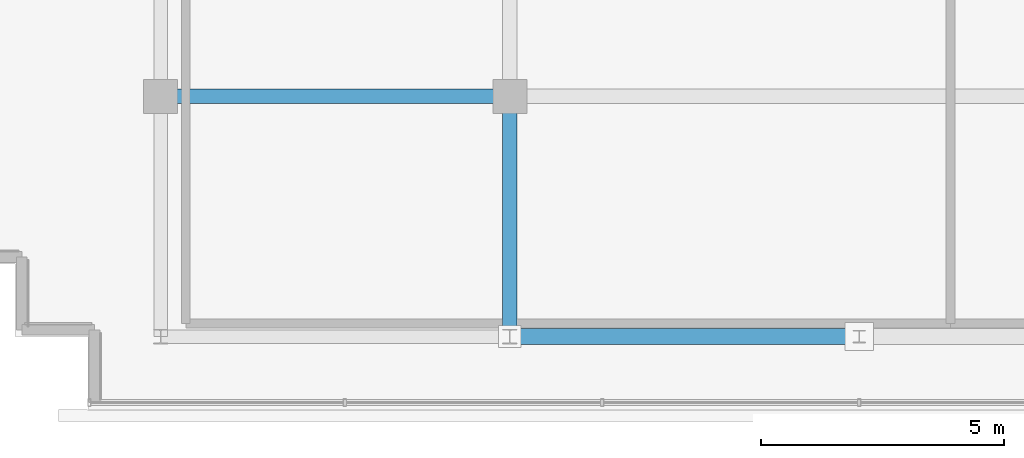
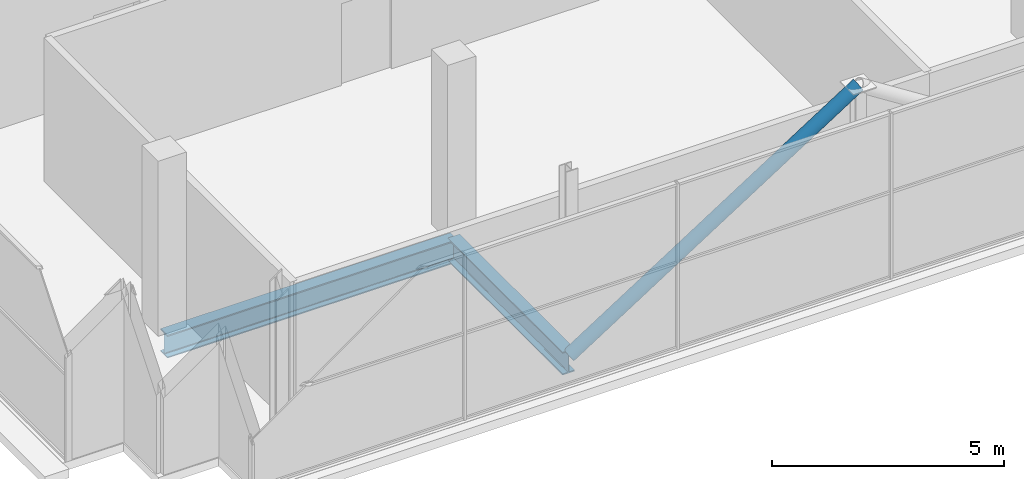
# One storey, part 4 of 26: 2 beams, 1 member.
"""IFC4 building model written with IfcOpenShell, lengths in metres."""

from ifc_helpers import new_model, si_unit, direction, frame, origin, origin_2d, place, context, subcontext, project, spatial, hollow_circle, i_section, extrude, source, transform, mapped, material, material_profile, profile_set, type_object, element, save


model = new_model("IFC4")

# Units and contexts
model_context = context("Model", 3, precision=1e-05, world=origin(), true_north=direction((0.0, 1.0)))
body_context = subcontext(model_context, "Body", "Model", "MODEL_VIEW")
ifc_project = project(units=[si_unit("LENGTHUNIT", "METRE"), si_unit("AREAUNIT", "SQUARE_METRE"), si_unit("VOLUMEUNIT", "CUBIC_METRE"), si_unit("PLANEANGLEUNIT", "RADIAN"), si_unit("MASSUNIT", "GRAM", prefix="KILO")], contexts=[model_context])

# Site, building, storey
site_placement = place(None, origin())
site = spatial("IfcSite", under=ifc_project, at=site_placement, CompositionType="ELEMENT")
building_placement = place(site_placement, origin())
building = spatial("IfcBuilding", under=site, at=building_placement, Name="Zarnakvel Exchange Tower", CompositionType="ELEMENT")
storey_placement = place(building_placement, frame((0.0, 0.0, 285.39990234375)))
storey = spatial("IfcBuildingStorey", under=building, at=storey_placement, Name="Crown L80", CompositionType="ELEMENT", Elevation=285.39990234375)

# Beams
ifc_material = material(Name="Steel S355", Category="steel")
ifc_material_profile_1 = material_profile(ifc_material, i_section(OverallWidth=0.300048828125, OverallDepth=0.60009765625, WebThickness=0.015380859375, FlangeThickness=0.030029296875, FilletRadius=0.027099609375, at=origin_2d()))
ifc_profile_set_1 = profile_set([ifc_material_profile_1], Name="Steel S355")
beam_type = type_object("IfcBeamType", Name="G-04", PredefinedType="BEAM", material=ifc_profile_set_1)
beam_1_placement = place(storey_placement, frame((-14.39990234375, -9.60009765625, -0.52001953125), z_axis=(1.0, 0.0, 0.0), x_axis=(0.0, 1.0, 0.0)))
element("IfcBeam", 1, at=beam_1_placement, inside=storey, type_object=beam_type, Name="Crown L80 Tower E-W Frame Beam", PredefinedType="BEAM", context=body_context, shape_type="SweptSolid", body=[
    extrude(i_section(OverallWidth=0.300048828125, OverallDepth=0.60009765625, WebThickness=0.015380859375, FlangeThickness=0.030029296875, FilletRadius=0.027099609375, at=origin_2d()), origin(), (0.0, 0.0, 1.0), 7.199951171875),
])
beam_2_placement = place(storey_placement, frame((-7.199951171875, -14.550048828125, -0.52001953125), z_axis=(0.0, 1.0, 0.0), x_axis=(-1.0, 0.0, 0.0)))
element("IfcBeam", 2, at=beam_2_placement, inside=storey, type_object=beam_type, Name="Crown L80 Tower N-S Frame Beam", PredefinedType="BEAM", context=body_context, shape_type="SweptSolid", body=[
    extrude(i_section(OverallWidth=0.300048828125, OverallDepth=0.60009765625, WebThickness=0.015380859375, FlangeThickness=0.030029296875, FilletRadius=0.027099609375, at=origin_2d()), origin(), (0.0, 0.0, 1.0), 4.949951171875),
])

# Member
ifc_material_profile_2 = material_profile(ifc_material, hollow_circle(Radius=0.161865234375, WallThickness=0.01611328125, at=origin_2d()))
ifc_profile_set_2 = profile_set([ifc_material_profile_2], Name="Steel S355")
member_type = type_object("IfcMemberType", Name="CF-03", PredefinedType="BRACE", material=ifc_profile_set_2)
shared_shape = source(origin(), body_context, "Body", "SweptSolid", [
    extrude(hollow_circle(Radius=0.161865234375, WallThickness=0.01611328125, at=origin_2d()), origin(), (0.0, 0.0, 1.0), 8.5439453125),
])
member_placement = place(storey_placement, frame((-7.199951171875, -14.550048828125, -0.35986328125), z_axis=(0.842702381832, 0.0, 0.53837969469), x_axis=(0.0, 1.0, 0.0)))
element("IfcMember", 3, at=member_placement, inside=storey, type_object=member_type, Name="Crown L80 Crown Chevron Brace L (CF-03)", PredefinedType="BRACE", context=body_context, shape_type="MappedRepresentation", body=[
    mapped(shared_shape, transform((0.0, 0.0, 0.0), x_axis=(1.0, 0.0, 0.0), y_axis=(0.0, 1.0, 0.0), z_axis=(0.0, 0.0, 1.0), scale=1.0)),
])

save(model, "model.ifc")
